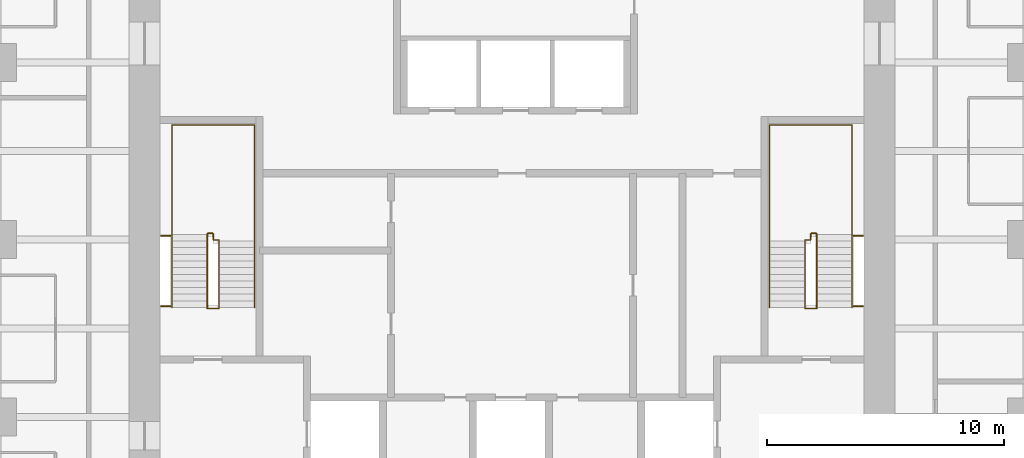
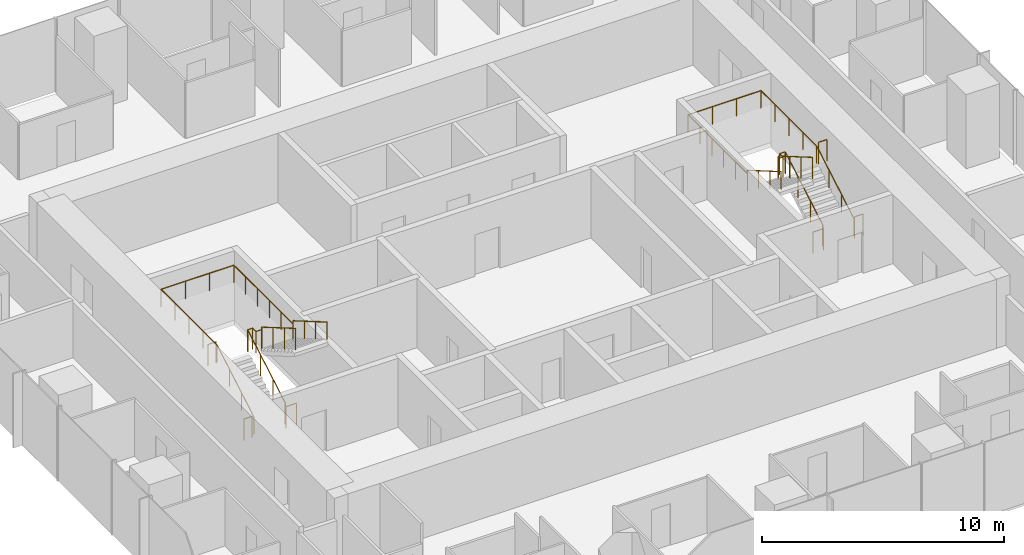
# One storey, part 12 of 12: 8 railings.
"""IFC4 building model written with IfcOpenShell, lengths in metres."""

from ifc_helpers import new_model, si_unit, direction, frame, origin, origin_2d, place, context, subcontext, project, spatial, circle, extrude, material, type_object, element, save


model = new_model("IFC4")

# Units and contexts
model_context = context("Model", 3, precision=1e-05, world=origin(), true_north=direction((0.0, 1.0)))
body_context = subcontext(model_context, "Body", "Model", "MODEL_VIEW")
ifc_project = project(units=[si_unit("LENGTHUNIT", "METRE"), si_unit("AREAUNIT", "SQUARE_METRE"), si_unit("VOLUMEUNIT", "CUBIC_METRE"), si_unit("PLANEANGLEUNIT", "RADIAN"), si_unit("MASSUNIT", "GRAM", prefix="KILO")], contexts=[model_context])

# Site, building, storey
site_placement = place(None, origin())
site = spatial("IfcSite", under=ifc_project, at=site_placement, CompositionType="ELEMENT")
building_placement = place(site_placement, origin())
building = spatial("IfcBuilding", under=site, at=building_placement, Name="Khuree Lantern Residences", CompositionType="ELEMENT")
storey_placement = place(building_placement, frame((0.0, 0.0, 345.75)))
storey = spatial("IfcBuildingStorey", under=building, at=storey_placement, Name="L87", CompositionType="ELEMENT", Elevation=345.75)

# Railings
ifc_material = material(Name="Steel S355", Category="steel")
railing_type_1 = type_object("IfcRailingType", Name="STAIR GUARD G1 1100", PredefinedType="GUARDRAIL", material=ifc_material)
railing_1_placement = place(storey_placement, frame((-12.35009765625, -2.909912109375, 0.0)))
element("IfcRailing", 1, at=railing_1_placement, inside=storey, type_object=railing_type_1, Name="Stair ST1 guard", PredefinedType="GUARDRAIL", context=body_context, shape_type="SweptSolid", body=[
    extrude(circle(Radius=0.02392578125, at=origin_2d()), frame((0.0, 0.0, 1.076171875), z_axis=(-1.0, 0.0, 0.0), x_axis=(0.0, -1.0, 0.0)), (0.0, 0.0, 1.0), 0.5),
    extrude(circle(Radius=0.02392578125, at=origin_2d()), frame((-0.5, 0.0, 1.076171875), z_axis=(0.0, 0.292073035251, 0.95639601739), x_axis=(-1.0, 0.0, 0.0)), (0.0, 0.0, 1.0), 0.17041015625),
    extrude(circle(Radius=0.02392578125, at=origin_2d()), frame((-0.5, 0.0498046875, 1.2392578125), z_axis=(0.0, 0.864176135923, 0.503189433615), x_axis=(-1.0, 0.0, 0.0)), (0.0, 0.0, 1.0), 3.564208984375),
    extrude(circle(Radius=0.02392578125, at=origin_2d()), frame((-0.5, 3.1298828125, 3.03271484375), z_axis=(0.0, 1.0, 0.0), x_axis=(-1.0, 0.0, 0.0)), (0.0, 0.0, 1.0), 0.050048828125),
    extrude(circle(Radius=0.02392578125, at=origin_2d()), frame((-0.5, 3.179931640625, 3.03271484375), z_axis=(1.0, 0.0, 0.0), x_axis=(0.0, 1.0, 0.0)), (0.0, 0.0, 1.0), 0.25),
    extrude(circle(Radius=0.02392578125, at=origin_2d()), frame((-0.25, 3.179931640625, 3.03271484375), z_axis=(0.0, -1.0, 0.0), x_axis=(1.0, 0.0, 0.0)), (0.0, 0.0, 1.0), 0.280029296875),
    extrude(circle(Radius=0.02392578125, at=origin_2d()), frame((-0.25, 2.89990234375, 3.03271484375), z_axis=(1.0, 0.0, 0.0), x_axis=(0.0, 1.0, 0.0)), (0.0, 0.0, 1.0), 0.25),
    extrude(circle(Radius=0.02392578125, at=origin_2d()), frame((0.0, 2.89990234375, 3.03271484375), z_axis=(0.0, -0.293381807449, 0.955995353053), x_axis=(1.0, 0.0, 0.0)), (0.0, 0.0, 1.0), 0.170654296875),
    extrude(circle(Radius=0.02392578125, at=origin_2d()), frame((0.0, 2.849853515625, 3.19580078125), z_axis=(0.0, -0.864180358799, 0.503182181189), x_axis=(1.0, 0.0, 0.0)), (0.0, 0.0, 1.0), 3.240234375),
    extrude(circle(Radius=0.02099609375, at=origin_2d()), origin(), (0.0, 0.0, 1.0), 1.052001953125),
    extrude(circle(Radius=0.02099609375, at=origin_2d()), frame((-0.5, 0.0, 0.0)), (0.0, 0.0, 1.0), 1.052001953125),
    extrude(circle(Radius=0.02099609375, at=origin_2d()), frame((-0.5, 0.0498046875, 0.1630859375)), (0.0, 0.0, 1.0), 1.052001953125),
    extrude(circle(Radius=0.02099609375, at=origin_2d()), frame((-0.5, 1.076416015625, 0.760986328125)), (0.0, 0.0, 1.0), 1.052001953125),
    extrude(circle(Radius=0.02099609375, at=origin_2d()), frame((-0.5, 2.103271484375, 1.358642578125)), (0.0, 0.0, 1.0), 1.052001953125),
    extrude(circle(Radius=0.02099609375, at=origin_2d()), frame((-0.5, 3.1298828125, 1.95654296875)), (0.0, 0.0, 1.0), 1.052001953125),
    extrude(circle(Radius=0.02099609375, at=origin_2d()), frame((-0.5, 3.179931640625, 1.95654296875)), (0.0, 0.0, 1.0), 1.052001953125),
    extrude(circle(Radius=0.02099609375, at=origin_2d()), frame((-0.25, 3.179931640625, 1.95654296875)), (0.0, 0.0, 1.0), 1.052001953125),
    extrude(circle(Radius=0.02099609375, at=origin_2d()), frame((-0.25, 2.89990234375, 1.95654296875)), (0.0, 0.0, 1.0), 1.052001953125),
    extrude(circle(Radius=0.02099609375, at=origin_2d()), frame((0.0, 2.89990234375, 1.95654296875)), (0.0, 0.0, 1.0), 1.052001953125),
    extrude(circle(Radius=0.02099609375, at=origin_2d()), frame((0.0, 2.849853515625, 2.11962890625)), (0.0, 0.0, 1.0), 1.052001953125),
    extrude(circle(Radius=0.02099609375, at=origin_2d()), frame((0.0, 1.91650390625, 2.6630859375)), (0.0, 0.0, 1.0), 1.052001953125),
    extrude(circle(Radius=0.02099609375, at=origin_2d()), frame((0.0, 0.983154296875, 3.20654296875)), (0.0, 0.0, 1.0), 1.052001953125),
    extrude(circle(Radius=0.02099609375, at=origin_2d()), frame((0.0, 0.0498046875, 3.75)), (0.0, 0.0, 1.0), 1.052001953125),
])
for number, where, name in (
    (2, (-14.800048828125, -2.81005859375, 0.0), "Stair ST1 landing slot guard"),
    (3, (-14.800048828125, 0.169921875, 1.95654296875), "Stair ST1 landing slot guard"),
):
    element("IfcRailing", number, at=place(storey_placement, frame(where)), inside=storey, type_object=railing_type_1, Name=name, PredefinedType="GUARDRAIL", context=body_context, shape_type="SweptSolid", body=[
        extrude(circle(Radius=0.02392578125, at=origin_2d()), frame((0.0, 0.0, 1.076171875), z_axis=(1.0, 0.0, 0.0), x_axis=(0.0, 1.0, 0.0)), (0.0, 0.0, 1.0), 0.400146484375),
        extrude(circle(Radius=0.02099609375, at=origin_2d()), origin(), (0.0, 0.0, 1.0), 1.052001953125),
        extrude(circle(Radius=0.02099609375, at=origin_2d()), frame((0.400146484375, 0.0, 0.0)), (0.0, 0.0, 1.0), 1.052001953125),
    ])
railing_2_placement = place(storey_placement, frame((12.35009765625, -2.909912109375, 0.0)))
element("IfcRailing", 4, at=railing_2_placement, inside=storey, type_object=railing_type_1, Name="Stair ST2 guard", PredefinedType="GUARDRAIL", context=body_context, shape_type="SweptSolid", body=[
    extrude(circle(Radius=0.02392578125, at=origin_2d()), frame((0.0, 0.0, 1.076171875), z_axis=(1.0, 0.0, 0.0), x_axis=(0.0, 1.0, 0.0)), (0.0, 0.0, 1.0), 0.5),
    extrude(circle(Radius=0.02392578125, at=origin_2d()), frame((0.5, 0.0, 1.076171875), z_axis=(0.0, 0.292073035251, 0.95639601739), x_axis=(-1.0, 0.0, 0.0)), (0.0, 0.0, 1.0), 0.17041015625),
    extrude(circle(Radius=0.02392578125, at=origin_2d()), frame((0.5, 0.0498046875, 1.2392578125), z_axis=(0.0, 0.864176135923, 0.503189433615), x_axis=(-1.0, 0.0, 0.0)), (0.0, 0.0, 1.0), 3.564208984375),
    extrude(circle(Radius=0.02392578125, at=origin_2d()), frame((0.5, 3.1298828125, 3.03271484375), z_axis=(0.0, 1.0, 0.0), x_axis=(-1.0, 0.0, 0.0)), (0.0, 0.0, 1.0), 0.050048828125),
    extrude(circle(Radius=0.02392578125, at=origin_2d()), frame((0.5, 3.179931640625, 3.03271484375), z_axis=(-1.0, 0.0, 0.0), x_axis=(0.0, -1.0, 0.0)), (0.0, 0.0, 1.0), 0.25),
    extrude(circle(Radius=0.02392578125, at=origin_2d()), frame((0.25, 3.179931640625, 3.03271484375), z_axis=(0.0, -1.0, 0.0), x_axis=(1.0, 0.0, 0.0)), (0.0, 0.0, 1.0), 0.280029296875),
    extrude(circle(Radius=0.02392578125, at=origin_2d()), frame((0.25, 2.89990234375, 3.03271484375), z_axis=(-1.0, 0.0, 0.0), x_axis=(0.0, -1.0, 0.0)), (0.0, 0.0, 1.0), 0.25),
    extrude(circle(Radius=0.02392578125, at=origin_2d()), frame((0.0, 2.89990234375, 3.03271484375), z_axis=(0.0, -0.293381807449, 0.955995353053), x_axis=(1.0, 0.0, 0.0)), (0.0, 0.0, 1.0), 0.170654296875),
    extrude(circle(Radius=0.02392578125, at=origin_2d()), frame((0.0, 2.849853515625, 3.19580078125), z_axis=(0.0, -0.864180358799, 0.503182181189), x_axis=(1.0, 0.0, 0.0)), (0.0, 0.0, 1.0), 3.240234375),
    extrude(circle(Radius=0.02099609375, at=origin_2d()), origin(), (0.0, 0.0, 1.0), 1.052001953125),
    extrude(circle(Radius=0.02099609375, at=origin_2d()), frame((0.5, 0.0, 0.0)), (0.0, 0.0, 1.0), 1.052001953125),
    extrude(circle(Radius=0.02099609375, at=origin_2d()), frame((0.5, 0.0498046875, 0.1630859375)), (0.0, 0.0, 1.0), 1.052001953125),
    extrude(circle(Radius=0.02099609375, at=origin_2d()), frame((0.5, 1.076416015625, 0.760986328125)), (0.0, 0.0, 1.0), 1.052001953125),
    extrude(circle(Radius=0.02099609375, at=origin_2d()), frame((0.5, 2.103271484375, 1.358642578125)), (0.0, 0.0, 1.0), 1.052001953125),
    extrude(circle(Radius=0.02099609375, at=origin_2d()), frame((0.5, 3.1298828125, 1.95654296875)), (0.0, 0.0, 1.0), 1.052001953125),
    extrude(circle(Radius=0.02099609375, at=origin_2d()), frame((0.5, 3.179931640625, 1.95654296875)), (0.0, 0.0, 1.0), 1.052001953125),
    extrude(circle(Radius=0.02099609375, at=origin_2d()), frame((0.25, 3.179931640625, 1.95654296875)), (0.0, 0.0, 1.0), 1.052001953125),
    extrude(circle(Radius=0.02099609375, at=origin_2d()), frame((0.25, 2.89990234375, 1.95654296875)), (0.0, 0.0, 1.0), 1.052001953125),
    extrude(circle(Radius=0.02099609375, at=origin_2d()), frame((0.0, 2.89990234375, 1.95654296875)), (0.0, 0.0, 1.0), 1.052001953125),
    extrude(circle(Radius=0.02099609375, at=origin_2d()), frame((0.0, 2.849853515625, 2.11962890625)), (0.0, 0.0, 1.0), 1.052001953125),
    extrude(circle(Radius=0.02099609375, at=origin_2d()), frame((0.0, 1.91650390625, 2.6630859375)), (0.0, 0.0, 1.0), 1.052001953125),
    extrude(circle(Radius=0.02099609375, at=origin_2d()), frame((0.0, 0.983154296875, 3.20654296875)), (0.0, 0.0, 1.0), 1.052001953125),
    extrude(circle(Radius=0.02099609375, at=origin_2d()), frame((0.0, 0.0498046875, 3.75)), (0.0, 0.0, 1.0), 1.052001953125),
])
for number, where, name in (
    (5, (14.800048828125, -2.81005859375, 0.0), "Stair ST2 landing slot guard"),
    (6, (14.800048828125, 0.169921875, 1.95654296875), "Stair ST2 landing slot guard"),
):
    element("IfcRailing", number, at=place(storey_placement, frame(where)), inside=storey, type_object=railing_type_1, Name=name, PredefinedType="GUARDRAIL", context=body_context, shape_type="SweptSolid", body=[
        extrude(circle(Radius=0.02392578125, at=origin_2d()), frame((0.0, 0.0, 1.076171875), z_axis=(-1.0, 0.0, 0.0), x_axis=(0.0, -1.0, 0.0)), (0.0, 0.0, 1.0), 0.400146484375),
        extrude(circle(Radius=0.02099609375, at=origin_2d()), origin(), (0.0, 0.0, 1.0), 1.052001953125),
        extrude(circle(Radius=0.02099609375, at=origin_2d()), frame((-0.400146484375, 0.0, 0.0)), (0.0, 0.0, 1.0), 1.052001953125),
    ])
railing_type_2 = type_object("IfcRailingType", Name="STAIR HANDRAIL H1 900", PredefinedType="HANDRAIL", material=ifc_material)
railing_3_placement = place(storey_placement, frame((-14.340087890625, -2.860107421875, 0.1630859375)))
element("IfcRailing", 7, at=railing_3_placement, inside=storey, type_object=railing_type_2, Name="Stair ST1 handrail", PredefinedType="HANDRAIL", context=body_context, shape_type="SweptSolid", body=[
    extrude(circle(Radius=0.02392578125, at=origin_2d()), frame((0.0, 0.0, 0.8759765625), z_axis=(0.0, 0.864176135923, 0.503189433615), x_axis=(-1.0, 0.0, 0.0)), (0.0, 0.0, 1.0), 3.564208984375),
    extrude(circle(Radius=0.02392578125, at=origin_2d()), frame((0.0, 3.080078125, 2.66943359375), z_axis=(0.0, 1.0, 0.0), x_axis=(-1.0, 0.0, 0.0)), (0.0, 0.0, 1.0), 4.6201171875),
    extrude(circle(Radius=0.02392578125, at=origin_2d()), frame((0.0, 7.7001953125, 2.66943359375), z_axis=(1.0, 0.0, 0.0), x_axis=(0.0, 1.0, 0.0)), (0.0, 0.0, 1.0), 3.47998046875),
    extrude(circle(Radius=0.02392578125, at=origin_2d()), frame((3.47998046875, 7.7001953125, 2.66943359375), z_axis=(0.0, -1.0, 0.0), x_axis=(1.0, 0.0, 0.0)), (0.0, 0.0, 1.0), 4.900146484375),
    extrude(circle(Radius=0.02392578125, at=origin_2d()), frame((3.47998046875, 2.800048828125, 2.66943359375), z_axis=(0.0, 0.0, 1.0), x_axis=(1.0, 0.0, 0.0)), (0.0, 0.0, 1.0), 0.1630859375),
    extrude(circle(Radius=0.02392578125, at=origin_2d()), frame((3.47998046875, 2.800048828125, 2.83251953125), z_axis=(0.0, -0.864180358799, 0.503182181189), x_axis=(1.0, 0.0, 0.0)), (0.0, 0.0, 1.0), 3.240234375),
    extrude(circle(Radius=0.02099609375, at=origin_2d()), origin(), (0.0, 0.0, 1.0), 0.851806640625),
    extrude(circle(Radius=0.02099609375, at=origin_2d()), frame((0.0, 1.026611328125, 0.597900390625)), (0.0, 0.0, 1.0), 0.851806640625),
    extrude(circle(Radius=0.02099609375, at=origin_2d()), frame((0.0, 2.053466796875, 1.195556640625)), (0.0, 0.0, 1.0), 0.851806640625),
    extrude(circle(Radius=0.02099609375, at=origin_2d()), frame((0.0, 3.080078125, 1.79345703125)), (0.0, 0.0, 1.0), 0.851806640625),
    extrude(circle(Radius=0.02099609375, at=origin_2d()), frame((0.0, 4.235107421875, 1.79345703125)), (0.0, 0.0, 1.0), 0.851806640625),
    extrude(circle(Radius=0.02099609375, at=origin_2d()), frame((0.0, 5.39013671875, 1.79345703125)), (0.0, 0.0, 1.0), 0.851806640625),
    extrude(circle(Radius=0.02099609375, at=origin_2d()), frame((0.0, 6.545166015625, 1.79345703125)), (0.0, 0.0, 1.0), 0.851806640625),
    extrude(circle(Radius=0.02099609375, at=origin_2d()), frame((0.0, 7.7001953125, 1.79345703125)), (0.0, 0.0, 1.0), 0.851806640625),
    extrude(circle(Radius=0.02099609375, at=origin_2d()), frame((1.159912109375, 7.7001953125, 1.79345703125)), (0.0, 0.0, 1.0), 0.851806640625),
    extrude(circle(Radius=0.02099609375, at=origin_2d()), frame((2.320068359375, 7.7001953125, 1.79345703125)), (0.0, 0.0, 1.0), 0.851806640625),
    extrude(circle(Radius=0.02099609375, at=origin_2d()), frame((3.47998046875, 7.7001953125, 1.79345703125)), (0.0, 0.0, 1.0), 0.851806640625),
    extrude(circle(Radius=0.02099609375, at=origin_2d()), frame((3.47998046875, 6.72021484375, 1.79345703125)), (0.0, 0.0, 1.0), 0.851806640625),
    extrude(circle(Radius=0.02099609375, at=origin_2d()), frame((3.47998046875, 5.740234375, 1.79345703125)), (0.0, 0.0, 1.0), 0.851806640625),
    extrude(circle(Radius=0.02099609375, at=origin_2d()), frame((3.47998046875, 4.760009765625, 1.79345703125)), (0.0, 0.0, 1.0), 0.851806640625),
    extrude(circle(Radius=0.02099609375, at=origin_2d()), frame((3.47998046875, 3.780029296875, 1.79345703125)), (0.0, 0.0, 1.0), 0.851806640625),
    extrude(circle(Radius=0.02099609375, at=origin_2d()), frame((3.47998046875, 2.800048828125, 1.79345703125)), (0.0, 0.0, 1.0), 0.851806640625),
    extrude(circle(Radius=0.02099609375, at=origin_2d()), frame((3.47998046875, 2.800048828125, 1.95654296875)), (0.0, 0.0, 1.0), 0.851806640625),
    extrude(circle(Radius=0.02099609375, at=origin_2d()), frame((3.47998046875, 1.86669921875, 2.5)), (0.0, 0.0, 1.0), 0.851806640625),
    extrude(circle(Radius=0.02099609375, at=origin_2d()), frame((3.47998046875, 0.933349609375, 3.04345703125)), (0.0, 0.0, 1.0), 0.851806640625),
    extrude(circle(Radius=0.02099609375, at=origin_2d()), frame((3.47998046875, 0.0, 3.5869140625)), (0.0, 0.0, 1.0), 0.851806640625),
])
railing_4_placement = place(storey_placement, frame((14.340087890625, -2.860107421875, 0.1630859375)))
element("IfcRailing", 8, at=railing_4_placement, inside=storey, type_object=railing_type_2, Name="Stair ST2 handrail", PredefinedType="HANDRAIL", context=body_context, shape_type="SweptSolid", body=[
    extrude(circle(Radius=0.02392578125, at=origin_2d()), frame((0.0, 0.0, 0.8759765625), z_axis=(0.0, 0.864176135923, 0.503189433615), x_axis=(-1.0, 0.0, 0.0)), (0.0, 0.0, 1.0), 3.564208984375),
    extrude(circle(Radius=0.02392578125, at=origin_2d()), frame((0.0, 3.080078125, 2.66943359375), z_axis=(0.0, 1.0, 0.0), x_axis=(-1.0, 0.0, 0.0)), (0.0, 0.0, 1.0), 4.6201171875),
    extrude(circle(Radius=0.02392578125, at=origin_2d()), frame((0.0, 7.7001953125, 2.66943359375), z_axis=(-1.0, 0.0, 0.0), x_axis=(0.0, -1.0, 0.0)), (0.0, 0.0, 1.0), 3.47998046875),
    extrude(circle(Radius=0.02392578125, at=origin_2d()), frame((-3.47998046875, 7.7001953125, 2.66943359375), z_axis=(0.0, -1.0, 0.0), x_axis=(1.0, 0.0, 0.0)), (0.0, 0.0, 1.0), 4.900146484375),
    extrude(circle(Radius=0.02392578125, at=origin_2d()), frame((-3.47998046875, 2.800048828125, 2.66943359375), z_axis=(0.0, 0.0, 1.0), x_axis=(1.0, 0.0, 0.0)), (0.0, 0.0, 1.0), 0.1630859375),
    extrude(circle(Radius=0.02392578125, at=origin_2d()), frame((-3.47998046875, 2.800048828125, 2.83251953125), z_axis=(0.0, -0.864180358799, 0.503182181189), x_axis=(1.0, 0.0, 0.0)), (0.0, 0.0, 1.0), 3.240234375),
    extrude(circle(Radius=0.02099609375, at=origin_2d()), origin(), (0.0, 0.0, 1.0), 0.851806640625),
    extrude(circle(Radius=0.02099609375, at=origin_2d()), frame((0.0, 1.026611328125, 0.597900390625)), (0.0, 0.0, 1.0), 0.851806640625),
    extrude(circle(Radius=0.02099609375, at=origin_2d()), frame((0.0, 2.053466796875, 1.195556640625)), (0.0, 0.0, 1.0), 0.851806640625),
    extrude(circle(Radius=0.02099609375, at=origin_2d()), frame((0.0, 3.080078125, 1.79345703125)), (0.0, 0.0, 1.0), 0.851806640625),
    extrude(circle(Radius=0.02099609375, at=origin_2d()), frame((0.0, 4.235107421875, 1.79345703125)), (0.0, 0.0, 1.0), 0.851806640625),
    extrude(circle(Radius=0.02099609375, at=origin_2d()), frame((0.0, 5.39013671875, 1.79345703125)), (0.0, 0.0, 1.0), 0.851806640625),
    extrude(circle(Radius=0.02099609375, at=origin_2d()), frame((0.0, 6.545166015625, 1.79345703125)), (0.0, 0.0, 1.0), 0.851806640625),
    extrude(circle(Radius=0.02099609375, at=origin_2d()), frame((0.0, 7.7001953125, 1.79345703125)), (0.0, 0.0, 1.0), 0.851806640625),
    extrude(circle(Radius=0.02099609375, at=origin_2d()), frame((-1.159912109375, 7.7001953125, 1.79345703125)), (0.0, 0.0, 1.0), 0.851806640625),
    extrude(circle(Radius=0.02099609375, at=origin_2d()), frame((-2.320068359375, 7.7001953125, 1.79345703125)), (0.0, 0.0, 1.0), 0.851806640625),
    extrude(circle(Radius=0.02099609375, at=origin_2d()), frame((-3.47998046875, 7.7001953125, 1.79345703125)), (0.0, 0.0, 1.0), 0.851806640625),
    extrude(circle(Radius=0.02099609375, at=origin_2d()), frame((-3.47998046875, 6.72021484375, 1.79345703125)), (0.0, 0.0, 1.0), 0.851806640625),
    extrude(circle(Radius=0.02099609375, at=origin_2d()), frame((-3.47998046875, 5.740234375, 1.79345703125)), (0.0, 0.0, 1.0), 0.851806640625),
    extrude(circle(Radius=0.02099609375, at=origin_2d()), frame((-3.47998046875, 4.760009765625, 1.79345703125)), (0.0, 0.0, 1.0), 0.851806640625),
    extrude(circle(Radius=0.02099609375, at=origin_2d()), frame((-3.47998046875, 3.780029296875, 1.79345703125)), (0.0, 0.0, 1.0), 0.851806640625),
    extrude(circle(Radius=0.02099609375, at=origin_2d()), frame((-3.47998046875, 2.800048828125, 1.79345703125)), (0.0, 0.0, 1.0), 0.851806640625),
    extrude(circle(Radius=0.02099609375, at=origin_2d()), frame((-3.47998046875, 2.800048828125, 1.95654296875)), (0.0, 0.0, 1.0), 0.851806640625),
    extrude(circle(Radius=0.02099609375, at=origin_2d()), frame((-3.47998046875, 1.86669921875, 2.5)), (0.0, 0.0, 1.0), 0.851806640625),
    extrude(circle(Radius=0.02099609375, at=origin_2d()), frame((-3.47998046875, 0.933349609375, 3.04345703125)), (0.0, 0.0, 1.0), 0.851806640625),
    extrude(circle(Radius=0.02099609375, at=origin_2d()), frame((-3.47998046875, 0.0, 3.5869140625)), (0.0, 0.0, 1.0), 0.851806640625),
])

save(model, "model.ifc")
